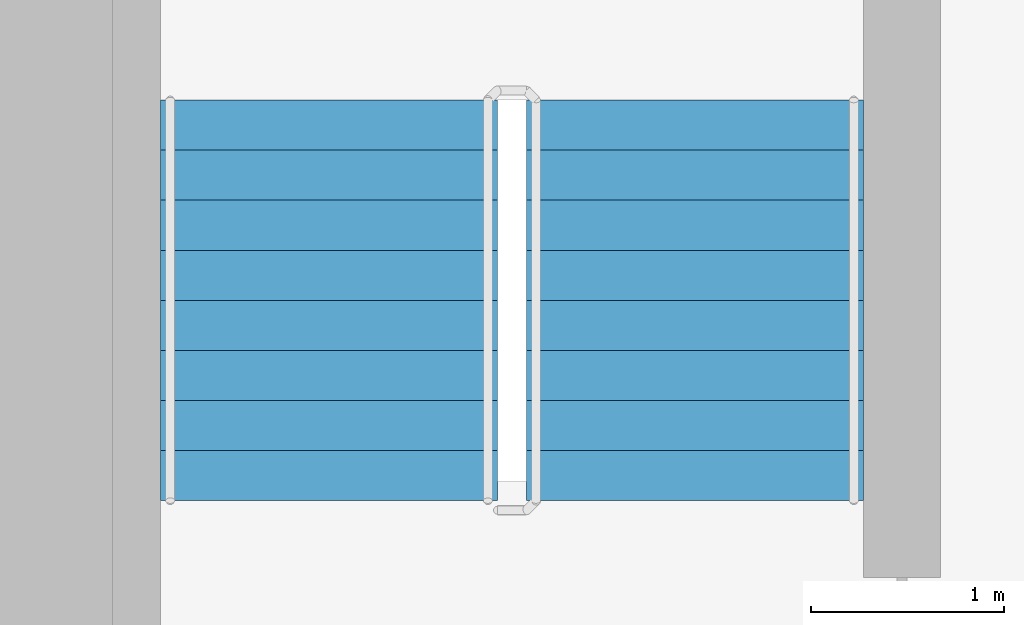
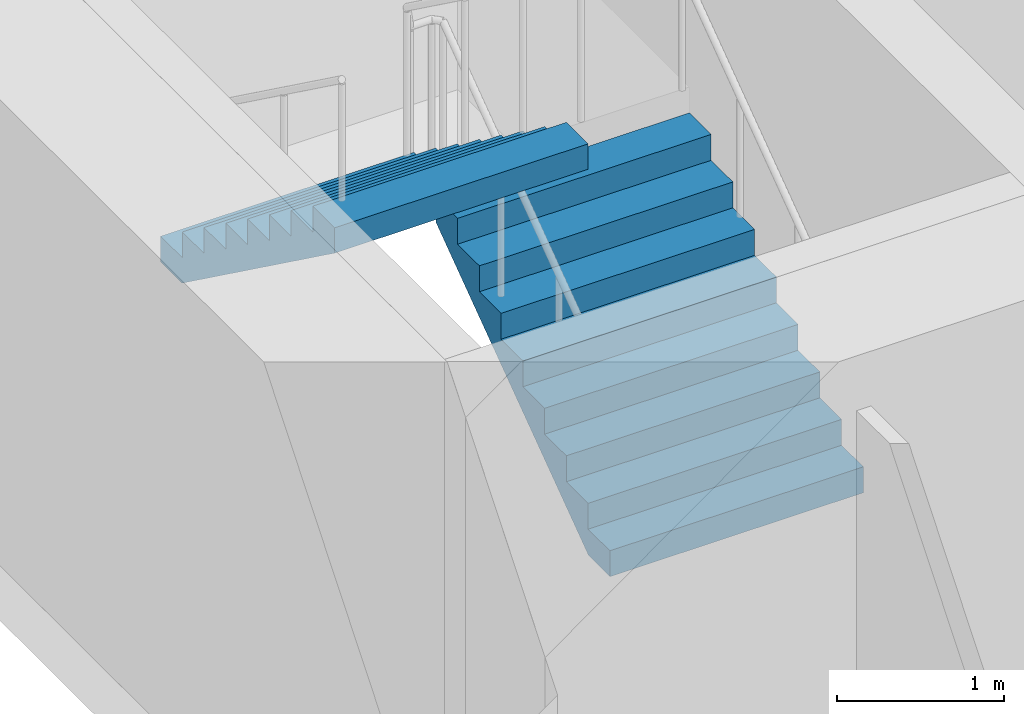
# One storey, part 17 of 21: 2 stair flights, 1 element without a shape of its own.
"""IFC4 building model written with IfcOpenShell, lengths in metres."""

import ifcopenshell
import ifcopenshell.guid

model = None  # the IFC model being written
_history = None  # IfcOwnerHistory: only IFC2X3 demands one
_inside = {}  # id of a spatial element -> (the spatial element, [elements in it])
_under = {}  # id of a project, library or spatial element -> (it, [spatial elements below it])
_declared = {}  # id of a project -> (the project, [libraries it declares])
_typed = {}  # id of a type object -> (the type object, [elements of that type])
_made_of = {}  # id of a material, layer set ... -> (it, [elements and type objects made of it])


def new_model(schema):
    """Start an empty IFC model of exactly this schema.

    Asked for "IFC4X3", IfcOpenShell would pick the latest addendum, in which some entities
    have other attributes; the version numbers below select the first issue.
    IFC2X3 requires an IfcOwnerHistory on every rooted entity: one is made here for all.
    """
    global model, _history
    if schema == "IFC4X3":
        model = ifcopenshell.file(schema_version=(4, 3, 0, 0))
    else:
        model = ifcopenshell.file(schema=schema)
    _inside.clear()
    _under.clear()
    _declared.clear()
    _typed.clear()
    _made_of.clear()
    _history = None
    if model.schema == "IFC2X3":
        org = make("IfcOrganization", Name="unknown")
        user = make(
            "IfcPersonAndOrganization",
            ThePerson=make("IfcPerson", FamilyName="unknown"),
            TheOrganization=org,
        )
        app = make(
            "IfcApplication",
            ApplicationDeveloper=org,
            Version="unknown",
            ApplicationFullName="unknown",
            ApplicationIdentifier="unknown",
        )
        _history = make(
            "IfcOwnerHistory",
            OwningUser=user,
            OwningApplication=app,
            ChangeAction="ADDED",
            CreationDate=0,
        )
    return model


def make(cls, **values):
    """One entity of the class cls with the attributes given. An attribute that is None is left unset."""
    return model.create_entity(
        cls, **{name: value for name, value in values.items() if value is not None}
    )


def rooted(cls, **values):
    """An entity with a GlobalId (a new one), such as an element, a storey or a relation."""
    return make(cls, GlobalId=ifcopenshell.guid.new(), OwnerHistory=_history, **values)


def si_unit(unit_type, name, prefix=None):
    """IfcSIUnit, for example si_unit("LENGTHUNIT", "METRE", prefix="MILLI")."""
    return make("IfcSIUnit", UnitType=unit_type, Prefix=prefix, Name=name)


def assignment(units):
    """IfcUnitAssignment: the units of a project."""
    return None if units is None else make("IfcUnitAssignment", Units=units)


def point(xyz):
    """IfcCartesianPoint."""
    return None if xyz is None else make("IfcCartesianPoint", Coordinates=xyz)


def direction(xyz):
    """IfcDirection."""
    return None if xyz is None else make("IfcDirection", DirectionRatios=xyz)


def frame(location, z_axis=None, x_axis=None):
    """IfcAxis2Placement3D, a coordinate frame: its origin and axes. An axis left out is left unset."""
    return make(
        "IfcAxis2Placement3D",
        Location=point(location),
        Axis=direction(z_axis),
        RefDirection=direction(x_axis),
    )


def origin():
    """The frame at (0, 0, 0) with its axes left unset."""
    return frame((0.0, 0.0, 0.0))


def place(relative_to, where):
    """IfcLocalPlacement: puts the frame where relative to a parent placement (None: the world)."""
    return make(
        "IfcLocalPlacement", PlacementRelTo=relative_to, RelativePlacement=where
    )


def context(
    kind, dimensions, precision=None, world=None, true_north=None, identifier=None
):
    """IfcGeometricRepresentationContext, for example the 3D "Model" context."""
    return make(
        "IfcGeometricRepresentationContext",
        ContextIdentifier=identifier,
        ContextType=kind,
        CoordinateSpaceDimension=dimensions,
        Precision=precision,
        WorldCoordinateSystem=world,
        TrueNorth=true_north,
    )


def subcontext(parent, identifier, kind, view, scale=None):
    """IfcGeometricRepresentationSubContext, for example "Body" below "Model"."""
    return make(
        "IfcGeometricRepresentationSubContext",
        ContextIdentifier=identifier,
        ContextType=kind,
        ParentContext=parent,
        TargetScale=scale,
        TargetView=view,
    )


def project(units=None, contexts=None):
    """IfcProject with its units and contexts."""
    return rooted(
        "IfcProject",
        Name="project",
        RepresentationContexts=contexts,
        UnitsInContext=assignment(units),
    )


def spatial(cls, under=None, at=None, **own):
    """A site, building, storey or space (cls), placed at a placement, below another one or the project."""
    s = rooted(cls, ObjectPlacement=at, **own)
    if under is not None:
        _under.setdefault(under.id(), (under, []))[1].append(s)
    return s


def faces_of(points, faces, orient=None, outer=None):
    """IfcFace entities. A face is a list of loops; a loop is a list of indices into points, from 0.

    orient and outer hold one flag for each loop. By default every Orientation is true, the
    first loop of a face is its IfcFaceOuterBound and the others are IfcFaceBound.
    """
    made = []
    for i, loops in enumerate(faces):
        bounds = []
        for j, loop in enumerate(loops):
            is_outer = j == 0 if outer is None else outer[i][j]
            bounds.append(
                make(
                    "IfcFaceOuterBound" if is_outer else "IfcFaceBound",
                    Bound=make("IfcPolyLoop", Polygon=[points[k] for k in loop]),
                    Orientation=True if orient is None else orient[i][j],
                )
            )
        made.append(make("IfcFace", Bounds=bounds))
    return made


def faceted_brep(points, faces, orient=None, outer=None, voids=None):
    """IfcFacetedBrep: a solid bounded by flat faces; with voids (closed shells), ...WithVoids."""
    shared = [point(p) for p in points]
    hull = make("IfcClosedShell", CfsFaces=faces_of(shared, faces, orient, outer))
    if voids is None:
        return make("IfcFacetedBrep", Outer=hull)
    return make(
        "IfcFacetedBrepWithVoids",
        Outer=hull,
        Voids=[
            make(cls, CfsFaces=faces_of(shared, fs, o, b)) for cls, fs, o, b in voids
        ],
    )


def shape(context_of_items, identifier, shape_type, items):
    """IfcShapeRepresentation: the items that make up one representation, for example the "Body"."""
    return make(
        "IfcShapeRepresentation",
        ContextOfItems=context_of_items,
        RepresentationIdentifier=identifier,
        RepresentationType=shape_type,
        Items=items,
    )


def material(Name=None, Category=None):
    """IfcMaterial."""
    return make("IfcMaterial", Name=Name, Category=Category)


def made_of(thing, what):
    """Note that an element or type object is made of a material, layer set ...; save() writes the relation."""
    if what is not None:
        _made_of.setdefault(what.id(), (what, []))[1].append(thing)
    return thing


def type_object(cls, material=None, **own):
    """A type object (cls), such as IfcWallType, which elements share."""
    return made_of(rooted(cls, **own), material)


def element(
    cls,
    number,
    at=None,
    inside=None,
    cuts=None,
    type_object=None,
    material=None,
    context=None,
    identifier="Body",
    shape_type=None,
    held_by="IfcProductDefinitionShape",
    body=None,
    shapes=None,
    **own,
):
    """One element of the class cls, such as IfcWall. Its Tag is "e" and its number.

    at: its placement. inside: the storey or other place that contains it. cuts: it is an
    opening in that element (IfcRelVoidsElement). A single representation is given by context,
    identifier, shape_type and body (its items); several are given by shapes. held_by: the class
    of the entity that holds the representations. save() writes the other relations.
    """
    e = rooted(cls, Tag="e%d" % number, ObjectPlacement=at, **own)
    if body is not None:
        shapes = [shape(context, identifier, shape_type, body)]
    if shapes is not None:
        e.Representation = make(held_by, Representations=shapes)
    if inside is not None:
        _inside.setdefault(inside.id(), (inside, []))[1].append(e)
    if cuts is not None:
        rooted(
            "IfcRelVoidsElement", RelatingBuildingElement=cuts, RelatedOpeningElement=e
        )
    if type_object is not None:
        _typed.setdefault(type_object.id(), (type_object, []))[1].append(e)
    return made_of(e, material)


def aggregate(whole, parts):
    """IfcRelAggregates: a whole, such as a stair, and the parts it consists of."""
    return rooted("IfcRelAggregates", RelatingObject=whole, RelatedObjects=parts)


def save(model, path):
    """Write the relations noted so far, then the file.

    IfcRelAggregates (storeys below a building ...), IfcRelContainedInSpatialStructure (elements
    in a storey), IfcRelDefinesByType, IfcRelAssociatesMaterial and IfcRelDeclares: one each for
    every whole, place, type object, material and project.
    """
    for whole, parts in _under.values():
        aggregate(whole, parts)
    for where, things in _inside.values():
        rooted(
            "IfcRelContainedInSpatialStructure",
            RelatedElements=things,
            RelatingStructure=where,
        )
    for kind, things in _typed.values():
        rooted("IfcRelDefinesByType", RelatedObjects=things, RelatingType=kind)
    for what, things in _made_of.values():
        rooted("IfcRelAssociatesMaterial", RelatedObjects=things, RelatingMaterial=what)
    for by, libraries in _declared.values():
        rooted("IfcRelDeclares", RelatingContext=by, RelatedDefinitions=libraries)
    model.write(path)


model = new_model("IFC4")

# Units and contexts
model_context = context("Model", 3, precision=1e-05, world=origin(), true_north=direction((0.0, 1.0)))
body_context = subcontext(model_context, "Body", "Model", "MODEL_VIEW")
ifc_project = project(units=[si_unit("LENGTHUNIT", "METRE"), si_unit("AREAUNIT", "SQUARE_METRE"), si_unit("VOLUMEUNIT", "CUBIC_METRE"), si_unit("PLANEANGLEUNIT", "RADIAN"), si_unit("MASSUNIT", "GRAM", prefix="KILO")], contexts=[model_context])

# Site, building, storey
site_placement = place(None, origin())
site = spatial("IfcSite", under=ifc_project, at=site_placement, CompositionType="ELEMENT")
building_placement = place(site_placement, origin())
building = spatial("IfcBuilding", under=site, at=building_placement, Name="Ipe Terrace Towers", CompositionType="ELEMENT")
storey_placement = place(building_placement, frame((0.0, 0.0, 97.0)))
storey = spatial("IfcBuildingStorey", under=building, at=storey_placement, Name="L26", CompositionType="ELEMENT", Elevation=97.0)

# Stair, stair flights
ifc_material_1 = material(Name="Concrete C30/37", Category="concrete")
stair_type = type_object("IfcStairType", Name="Protected exit stair", PredefinedType="HALF_TURN_STAIR", material=ifc_material_1)
stair_placement = place(storey_placement, origin())
stair = element("IfcStair", 1, at=stair_placement, inside=storey, type_object=stair_type, Name="L26 Exit stair T2-C1", PredefinedType="HALF_TURN_STAIR")
ifc_material_2 = material(Name="Concrete C30/37", Category="concrete")
stair_flight_type = type_object("IfcStairFlightType", Name="Exit stair flight 1750", PredefinedType="STRAIGHT", material=ifc_material_2)
stair_flight_1_placement = place(storey_placement, frame((33.22509765625, 9.699951171875, 0.0), z_axis=(0.0, 0.0, 1.0), x_axis=(0.0, 1.0, 0.0)))
stair_flight_1 = element("IfcStairFlight", 2, at=stair_flight_1_placement, type_object=stair_flight_type, Name="T2-ST1 flight 1", NumberOfRisers=9, NumberOfTreads=8, PredefinedType="STRAIGHT", RiserHeight=0.188888889, TreadLength=0.26, context=body_context, shape_type="Brep", body=[
    faceted_brep([(0.255126953125, -0.875, 0.0), (2.080078125, -0.875, 1.325927734375), (2.080078125, -0.875, 1.51123046875), (1.820068359375, -0.875, 1.51123046875), (1.820068359375, -0.875, 1.322265625), (1.56005859375, -0.875, 1.322265625), (1.56005859375, -0.875, 1.13330078125), (1.300048828125, -0.875, 1.13330078125), (1.300048828125, -0.875, 0.9443359375), (1.0400390625, -0.875, 0.9443359375), (1.0400390625, -0.875, 0.755615234375), (0.780029296875, -0.875, 0.755615234375), (0.780029296875, -0.875, 0.566650390625), (0.52001953125, -0.875, 0.566650390625), (0.52001953125, -0.875, 0.377685546875), (0.260009765625, -0.875, 0.377685546875), (0.260009765625, -0.875, 0.18896484375), (0.0, -0.875, 0.18896484375), (0.0, -0.875, 0.0), (0.0, 0.875, 0.0), (0.0, 0.875, 0.18896484375), (0.260009765625, 0.875, 0.18896484375), (0.260009765625, 0.875, 0.377685546875), (0.52001953125, 0.875, 0.377685546875), (0.52001953125, 0.875, 0.566650390625), (0.780029296875, 0.875, 0.566650390625), (0.780029296875, 0.875, 0.755615234375), (1.0400390625, 0.875, 0.755615234375), (1.0400390625, 0.875, 0.9443359375), (1.300048828125, 0.875, 0.9443359375), (1.300048828125, 0.875, 1.13330078125), (1.56005859375, 0.875, 1.13330078125), (1.56005859375, 0.875, 1.322265625), (1.820068359375, 0.875, 1.322265625), (1.820068359375, 0.875, 1.51123046875), (2.080078125, 0.875, 1.51123046875), (2.080078125, 0.875, 1.325927734375), (0.255126953125, 0.875, 0.0), (0.0, -0.300048828125, 0.18896484375), (0.0, -0.1201171875, 0.18896484375), (0.0, -0.06005859375, 0.18896484375), (0.0, -0.030029296875, 0.18896484375), (0.0, -0.010009765625, 0.18896484375), (0.0, 0.0, 0.18896484375), (0.0, 0.010009765625, 0.18896484375), (0.0, 0.030029296875, 0.18896484375), (0.0, 0.06005859375, 0.18896484375), (0.0, 0.1201171875, 0.18896484375), (0.0, 0.300048828125, 0.18896484375), (0.0, 0.300048828125, 0.0), (0.0, 0.1201171875, 0.0), (0.0, 0.06005859375, 0.0), (0.0, 0.030029296875, 0.0), (0.0, 0.010009765625, 0.0), (0.0, 0.0, 0.0), (0.0, -0.010009765625, 0.0), (0.0, -0.030029296875, 0.0), (0.0, -0.06005859375, 0.0), (0.0, -0.1201171875, 0.0), (0.0, -0.300048828125, 0.0), (0.260009765625, -0.300048828125, 0.18896484375), (0.260009765625, -0.1201171875, 0.18896484375), (0.260009765625, -0.06005859375, 0.18896484375), (0.260009765625, -0.030029296875, 0.18896484375), (0.260009765625, -0.010009765625, 0.18896484375), (0.260009765625, 0.0, 0.18896484375), (0.260009765625, 0.010009765625, 0.18896484375), (0.260009765625, 0.030029296875, 0.18896484375), (0.260009765625, 0.06005859375, 0.18896484375), (0.260009765625, 0.1201171875, 0.18896484375), (0.260009765625, 0.300048828125, 0.18896484375), (0.260009765625, -0.300048828125, 0.377685546875), (0.260009765625, -0.1201171875, 0.377685546875), (0.260009765625, -0.06005859375, 0.377685546875), (0.260009765625, -0.030029296875, 0.377685546875), (0.260009765625, -0.010009765625, 0.377685546875), (0.260009765625, 0.0, 0.377685546875), (0.260009765625, 0.010009765625, 0.377685546875), (0.260009765625, 0.030029296875, 0.377685546875), (0.260009765625, 0.06005859375, 0.377685546875), (0.260009765625, 0.1201171875, 0.377685546875), (0.260009765625, 0.300048828125, 0.377685546875), (0.52001953125, -0.300048828125, 0.377685546875), (0.52001953125, -0.1201171875, 0.377685546875), (0.52001953125, -0.06005859375, 0.377685546875), (0.52001953125, -0.030029296875, 0.377685546875), (0.52001953125, -0.010009765625, 0.377685546875), (0.52001953125, 0.0, 0.377685546875), (0.52001953125, 0.010009765625, 0.377685546875), (0.52001953125, 0.030029296875, 0.377685546875), (0.52001953125, 0.06005859375, 0.377685546875), (0.52001953125, 0.1201171875, 0.377685546875), (0.52001953125, 0.300048828125, 0.377685546875), (0.52001953125, -0.300048828125, 0.566650390625), (0.52001953125, -0.1201171875, 0.566650390625), (0.52001953125, -0.06005859375, 0.566650390625), (0.52001953125, -0.030029296875, 0.566650390625), (0.52001953125, -0.010009765625, 0.566650390625), (0.52001953125, 0.0, 0.566650390625), (0.52001953125, 0.010009765625, 0.566650390625), (0.52001953125, 0.030029296875, 0.566650390625), (0.52001953125, 0.06005859375, 0.566650390625), (0.52001953125, 0.1201171875, 0.566650390625), (0.52001953125, 0.300048828125, 0.566650390625), (0.780029296875, -0.300048828125, 0.566650390625), (0.780029296875, -0.1201171875, 0.566650390625), (0.780029296875, -0.06005859375, 0.566650390625), (0.780029296875, -0.030029296875, 0.566650390625), (0.780029296875, -0.010009765625, 0.566650390625), (0.780029296875, 0.0, 0.566650390625), (0.780029296875, 0.010009765625, 0.566650390625), (0.780029296875, 0.030029296875, 0.566650390625), (0.780029296875, 0.06005859375, 0.566650390625), (0.780029296875, 0.1201171875, 0.566650390625), (0.780029296875, 0.300048828125, 0.566650390625), (0.780029296875, -0.300048828125, 0.755615234375), (0.780029296875, -0.1201171875, 0.755615234375), (0.780029296875, -0.06005859375, 0.755615234375), (0.780029296875, -0.030029296875, 0.755615234375), (0.780029296875, -0.010009765625, 0.755615234375), (0.780029296875, 0.0, 0.755615234375), (0.780029296875, 0.010009765625, 0.755615234375), (0.780029296875, 0.030029296875, 0.755615234375), (0.780029296875, 0.06005859375, 0.755615234375), (0.780029296875, 0.1201171875, 0.755615234375), (0.780029296875, 0.300048828125, 0.755615234375), (1.0400390625, -0.300048828125, 0.755615234375), (1.0400390625, -0.1201171875, 0.755615234375), (1.0400390625, -0.06005859375, 0.755615234375), (1.0400390625, -0.030029296875, 0.755615234375), (1.0400390625, -0.010009765625, 0.755615234375), (1.0400390625, 0.0, 0.755615234375), (1.0400390625, 0.010009765625, 0.755615234375), (1.0400390625, 0.030029296875, 0.755615234375), (1.0400390625, 0.06005859375, 0.755615234375), (1.0400390625, 0.1201171875, 0.755615234375), (1.0400390625, 0.300048828125, 0.755615234375), (1.0400390625, -0.300048828125, 0.9443359375), (1.0400390625, -0.1201171875, 0.9443359375), (1.0400390625, -0.06005859375, 0.9443359375), (1.0400390625, -0.030029296875, 0.9443359375), (1.0400390625, -0.010009765625, 0.9443359375), (1.0400390625, 0.0, 0.9443359375), (1.0400390625, 0.010009765625, 0.9443359375), (1.0400390625, 0.030029296875, 0.9443359375), (1.0400390625, 0.06005859375, 0.9443359375), (1.0400390625, 0.1201171875, 0.9443359375), (1.0400390625, 0.300048828125, 0.9443359375), (1.300048828125, -0.300048828125, 0.9443359375), (1.300048828125, -0.1201171875, 0.9443359375), (1.300048828125, -0.06005859375, 0.9443359375), (1.300048828125, -0.030029296875, 0.9443359375), (1.300048828125, -0.010009765625, 0.9443359375), (1.300048828125, 0.0, 0.9443359375), (1.300048828125, 0.010009765625, 0.9443359375), (1.300048828125, 0.030029296875, 0.9443359375), (1.300048828125, 0.06005859375, 0.9443359375), (1.300048828125, 0.1201171875, 0.9443359375), (1.300048828125, 0.300048828125, 0.9443359375), (1.300048828125, -0.300048828125, 1.13330078125), (1.300048828125, -0.1201171875, 1.13330078125), (1.300048828125, -0.06005859375, 1.13330078125), (1.300048828125, -0.030029296875, 1.13330078125), (1.300048828125, -0.010009765625, 1.13330078125), (1.300048828125, 0.0, 1.13330078125), (1.300048828125, 0.010009765625, 1.13330078125), (1.300048828125, 0.030029296875, 1.13330078125), (1.300048828125, 0.06005859375, 1.13330078125), (1.300048828125, 0.1201171875, 1.13330078125), (1.300048828125, 0.300048828125, 1.13330078125), (1.56005859375, -0.300048828125, 1.13330078125), (1.56005859375, -0.1201171875, 1.13330078125), (1.56005859375, -0.06005859375, 1.13330078125), (1.56005859375, -0.030029296875, 1.13330078125), (1.56005859375, -0.010009765625, 1.13330078125), (1.56005859375, 0.0, 1.13330078125), (1.56005859375, 0.010009765625, 1.13330078125), (1.56005859375, 0.030029296875, 1.13330078125), (1.56005859375, 0.06005859375, 1.13330078125), (1.56005859375, 0.1201171875, 1.13330078125), (1.56005859375, 0.300048828125, 1.13330078125), (1.56005859375, -0.300048828125, 1.322265625), (1.56005859375, -0.1201171875, 1.322265625), (1.56005859375, -0.06005859375, 1.322265625), (1.56005859375, -0.030029296875, 1.322265625), (1.56005859375, -0.010009765625, 1.322265625), (1.56005859375, 0.0, 1.322265625), (1.56005859375, 0.010009765625, 1.322265625), (1.56005859375, 0.030029296875, 1.322265625), (1.56005859375, 0.06005859375, 1.322265625), (1.56005859375, 0.1201171875, 1.322265625), (1.56005859375, 0.300048828125, 1.322265625), (1.820068359375, -0.300048828125, 1.322265625), (1.820068359375, -0.1201171875, 1.322265625), (1.820068359375, -0.06005859375, 1.322265625), (1.820068359375, -0.030029296875, 1.322265625), (1.820068359375, -0.010009765625, 1.322265625), (1.820068359375, 0.0, 1.322265625), (1.820068359375, 0.010009765625, 1.322265625), (1.820068359375, 0.030029296875, 1.322265625), (1.820068359375, 0.06005859375, 1.322265625), (1.820068359375, 0.1201171875, 1.322265625), (1.820068359375, 0.300048828125, 1.322265625), (1.820068359375, -0.300048828125, 1.51123046875), (1.820068359375, -0.1201171875, 1.51123046875), (1.820068359375, -0.06005859375, 1.51123046875), (1.820068359375, -0.030029296875, 1.51123046875), (1.820068359375, -0.010009765625, 1.51123046875), (1.820068359375, 0.0, 1.51123046875), (1.820068359375, 0.010009765625, 1.51123046875), (1.820068359375, 0.030029296875, 1.51123046875), (1.820068359375, 0.06005859375, 1.51123046875), (1.820068359375, 0.1201171875, 1.51123046875), (1.820068359375, 0.300048828125, 1.51123046875), (2.080078125, -0.300048828125, 1.51123046875), (2.080078125, -0.1201171875, 1.51123046875), (2.080078125, -0.06005859375, 1.51123046875), (2.080078125, -0.030029296875, 1.51123046875), (2.080078125, -0.010009765625, 1.51123046875), (2.080078125, 0.0, 1.51123046875), (2.080078125, 0.010009765625, 1.51123046875), (2.080078125, 0.030029296875, 1.51123046875), (2.080078125, 0.06005859375, 1.51123046875), (2.080078125, 0.1201171875, 1.51123046875), (2.080078125, 0.300048828125, 1.51123046875), (2.080078125, -0.300048828125, 1.325927734375), (2.080078125, -0.1201171875, 1.325927734375), (2.080078125, -0.06005859375, 1.325927734375), (2.080078125, -0.030029296875, 1.325927734375), (2.080078125, -0.010009765625, 1.325927734375), (2.080078125, 0.0, 1.325927734375), (2.080078125, 0.010009765625, 1.325927734375), (2.080078125, 0.030029296875, 1.325927734375), (2.080078125, 0.06005859375, 1.325927734375), (2.080078125, 0.1201171875, 1.325927734375), (2.080078125, 0.300048828125, 1.325927734375), (0.255126953125, -0.300048828125, 0.0), (0.255126953125, -0.1201171875, 0.0), (0.255126953125, -0.06005859375, 0.0), (0.255126953125, -0.030029296875, 0.0), (0.255126953125, -0.010009765625, 0.0), (0.255126953125, 0.0, 0.0), (0.255126953125, 0.010009765625, 0.0), (0.255126953125, 0.030029296875, 0.0), (0.255126953125, 0.06005859375, 0.0), (0.255126953125, 0.1201171875, 0.0), (0.255126953125, 0.300048828125, 0.0)], [[[0, 1, 2, 3, 4, 5, 6, 7, 8, 9, 10, 11, 12, 13, 14, 15, 16, 17, 18]], [[19, 20, 21, 22, 23, 24, 25, 26, 27, 28, 29, 30, 31, 32, 33, 34, 35, 36, 37]], [[17, 38, 39, 40, 41, 42, 43, 44, 45, 46, 47, 48, 20, 19, 49, 50, 51, 52, 53, 54, 55, 56, 57, 58, 59, 18]], [[16, 60, 61, 62, 63, 64, 65, 66, 67, 68, 69, 70, 21, 20, 48, 47, 46, 45, 44, 43, 42, 41, 40, 39, 38, 17]], [[15, 71, 72, 73, 74, 75, 76, 77, 78, 79, 80, 81, 22, 21, 70, 69, 68, 67, 66, 65, 64, 63, 62, 61, 60, 16]], [[14, 82, 83, 84, 85, 86, 87, 88, 89, 90, 91, 92, 23, 22, 81, 80, 79, 78, 77, 76, 75, 74, 73, 72, 71, 15]], [[13, 93, 94, 95, 96, 97, 98, 99, 100, 101, 102, 103, 24, 23, 92, 91, 90, 89, 88, 87, 86, 85, 84, 83, 82, 14]], [[12, 104, 105, 106, 107, 108, 109, 110, 111, 112, 113, 114, 25, 24, 103, 102, 101, 100, 99, 98, 97, 96, 95, 94, 93, 13]], [[11, 115, 116, 117, 118, 119, 120, 121, 122, 123, 124, 125, 26, 25, 114, 113, 112, 111, 110, 109, 108, 107, 106, 105, 104, 12]], [[10, 126, 127, 128, 129, 130, 131, 132, 133, 134, 135, 136, 27, 26, 125, 124, 123, 122, 121, 120, 119, 118, 117, 116, 115, 11]], [[9, 137, 138, 139, 140, 141, 142, 143, 144, 145, 146, 147, 28, 27, 136, 135, 134, 133, 132, 131, 130, 129, 128, 127, 126, 10]], [[8, 148, 149, 150, 151, 152, 153, 154, 155, 156, 157, 158, 29, 28, 147, 146, 145, 144, 143, 142, 141, 140, 139, 138, 137, 9]], [[7, 159, 160, 161, 162, 163, 164, 165, 166, 167, 168, 169, 30, 29, 158, 157, 156, 155, 154, 153, 152, 151, 150, 149, 148, 8]], [[6, 170, 171, 172, 173, 174, 175, 176, 177, 178, 179, 180, 31, 30, 169, 168, 167, 166, 165, 164, 163, 162, 161, 160, 159, 7]], [[5, 181, 182, 183, 184, 185, 186, 187, 188, 189, 190, 191, 32, 31, 180, 179, 178, 177, 176, 175, 174, 173, 172, 171, 170, 6]], [[4, 192, 193, 194, 195, 196, 197, 198, 199, 200, 201, 202, 33, 32, 191, 190, 189, 188, 187, 186, 185, 184, 183, 182, 181, 5]], [[3, 203, 204, 205, 206, 207, 208, 209, 210, 211, 212, 213, 34, 33, 202, 201, 200, 199, 198, 197, 196, 195, 194, 193, 192, 4]], [[2, 214, 215, 216, 217, 218, 219, 220, 221, 222, 223, 224, 35, 34, 213, 212, 211, 210, 209, 208, 207, 206, 205, 204, 203, 3]], [[1, 225, 226, 227, 228, 229, 230, 231, 232, 233, 234, 235, 36, 35, 224, 223, 222, 221, 220, 219, 218, 217, 216, 215, 214, 2]], [[0, 236, 237, 238, 239, 240, 241, 242, 243, 244, 245, 246, 37, 36, 235, 234, 233, 232, 231, 230, 229, 228, 227, 226, 225, 1]], [[18, 59, 58, 57, 56, 55, 54, 53, 52, 51, 50, 49, 19, 37, 246, 245, 244, 243, 242, 241, 240, 239, 238, 237, 236, 0]]]),
])
stair_flight_2_placement = place(storey_placement, frame((31.324951171875, 11.780029296875, 1.699951171875), z_axis=(0.0, 0.0, 1.0), x_axis=(0.0, -1.0, 0.0)))
stair_flight_2 = element("IfcStairFlight", 3, at=stair_flight_2_placement, type_object=stair_flight_type, Name="T2-ST1 flight 2", NumberOfRisers=9, NumberOfTreads=8, PredefinedType="STRAIGHT", RiserHeight=0.188888889, TreadLength=0.26, context=body_context, shape_type="Brep", body=[
    faceted_brep([(0.255126953125, -0.875, 0.0), (2.080078125, -0.875, 1.325927734375), (2.080078125, -0.875, 1.51123046875), (1.820068359375, -0.875, 1.51123046875), (1.820068359375, -0.875, 1.322265625), (1.56005859375, -0.875, 1.322265625), (1.56005859375, -0.875, 1.13330078125), (1.300048828125, -0.875, 1.13330078125), (1.300048828125, -0.875, 0.9443359375), (1.0400390625, -0.875, 0.9443359375), (1.0400390625, -0.875, 0.755615234375), (0.780029296875, -0.875, 0.755615234375), (0.780029296875, -0.875, 0.566650390625), (0.52001953125, -0.875, 0.566650390625), (0.52001953125, -0.875, 0.377685546875), (0.260009765625, -0.875, 0.377685546875), (0.260009765625, -0.875, 0.18896484375), (0.0, -0.875, 0.18896484375), (0.0, -0.875, 0.0), (0.0, 0.875, 0.0), (0.0, 0.875, 0.18896484375), (0.260009765625, 0.875, 0.18896484375), (0.260009765625, 0.875, 0.377685546875), (0.52001953125, 0.875, 0.377685546875), (0.52001953125, 0.875, 0.566650390625), (0.780029296875, 0.875, 0.566650390625), (0.780029296875, 0.875, 0.755615234375), (1.0400390625, 0.875, 0.755615234375), (1.0400390625, 0.875, 0.9443359375), (1.300048828125, 0.875, 0.9443359375), (1.300048828125, 0.875, 1.13330078125), (1.56005859375, 0.875, 1.13330078125), (1.56005859375, 0.875, 1.322265625), (1.820068359375, 0.875, 1.322265625), (1.820068359375, 0.875, 1.51123046875), (2.080078125, 0.875, 1.51123046875), (2.080078125, 0.875, 1.325927734375), (0.255126953125, 0.875, 0.0), (0.0, -0.300048828125, 0.18896484375), (0.0, -0.1201171875, 0.18896484375), (0.0, -0.06005859375, 0.18896484375), (0.0, -0.030029296875, 0.18896484375), (0.0, -0.010009765625, 0.18896484375), (0.0, 0.0, 0.18896484375), (0.0, 0.010009765625, 0.18896484375), (0.0, 0.030029296875, 0.18896484375), (0.0, 0.06005859375, 0.18896484375), (0.0, 0.1201171875, 0.18896484375), (0.0, 0.300048828125, 0.18896484375), (0.0, 0.300048828125, 0.0), (0.0, 0.1201171875, 0.0), (0.0, 0.06005859375, 0.0), (0.0, 0.030029296875, 0.0), (0.0, 0.010009765625, 0.0), (0.0, 0.0, 0.0), (0.0, -0.010009765625, 0.0), (0.0, -0.030029296875, 0.0), (0.0, -0.06005859375, 0.0), (0.0, -0.1201171875, 0.0), (0.0, -0.300048828125, 0.0), (0.260009765625, -0.300048828125, 0.18896484375), (0.260009765625, -0.1201171875, 0.18896484375), (0.260009765625, -0.06005859375, 0.18896484375), (0.260009765625, -0.030029296875, 0.18896484375), (0.260009765625, -0.010009765625, 0.18896484375), (0.260009765625, 0.0, 0.18896484375), (0.260009765625, 0.010009765625, 0.18896484375), (0.260009765625, 0.030029296875, 0.18896484375), (0.260009765625, 0.06005859375, 0.18896484375), (0.260009765625, 0.1201171875, 0.18896484375), (0.260009765625, 0.300048828125, 0.18896484375), (0.260009765625, -0.300048828125, 0.377685546875), (0.260009765625, -0.1201171875, 0.377685546875), (0.260009765625, -0.06005859375, 0.377685546875), (0.260009765625, -0.030029296875, 0.377685546875), (0.260009765625, -0.010009765625, 0.377685546875), (0.260009765625, 0.0, 0.377685546875), (0.260009765625, 0.010009765625, 0.377685546875), (0.260009765625, 0.030029296875, 0.377685546875), (0.260009765625, 0.06005859375, 0.377685546875), (0.260009765625, 0.1201171875, 0.377685546875), (0.260009765625, 0.300048828125, 0.377685546875), (0.52001953125, -0.300048828125, 0.377685546875), (0.52001953125, -0.1201171875, 0.377685546875), (0.52001953125, -0.06005859375, 0.377685546875), (0.52001953125, -0.030029296875, 0.377685546875), (0.52001953125, -0.010009765625, 0.377685546875), (0.52001953125, 0.0, 0.377685546875), (0.52001953125, 0.010009765625, 0.377685546875), (0.52001953125, 0.030029296875, 0.377685546875), (0.52001953125, 0.06005859375, 0.377685546875), (0.52001953125, 0.1201171875, 0.377685546875), (0.52001953125, 0.300048828125, 0.377685546875), (0.52001953125, -0.300048828125, 0.566650390625), (0.52001953125, -0.1201171875, 0.566650390625), (0.52001953125, -0.06005859375, 0.566650390625), (0.52001953125, -0.030029296875, 0.566650390625), (0.52001953125, -0.010009765625, 0.566650390625), (0.52001953125, 0.0, 0.566650390625), (0.52001953125, 0.010009765625, 0.566650390625), (0.52001953125, 0.030029296875, 0.566650390625), (0.52001953125, 0.06005859375, 0.566650390625), (0.52001953125, 0.1201171875, 0.566650390625), (0.52001953125, 0.300048828125, 0.566650390625), (0.780029296875, -0.300048828125, 0.566650390625), (0.780029296875, -0.1201171875, 0.566650390625), (0.780029296875, -0.06005859375, 0.566650390625), (0.780029296875, -0.030029296875, 0.566650390625), (0.780029296875, -0.010009765625, 0.566650390625), (0.780029296875, 0.0, 0.566650390625), (0.780029296875, 0.010009765625, 0.566650390625), (0.780029296875, 0.030029296875, 0.566650390625), (0.780029296875, 0.06005859375, 0.566650390625), (0.780029296875, 0.1201171875, 0.566650390625), (0.780029296875, 0.300048828125, 0.566650390625), (0.780029296875, -0.300048828125, 0.755615234375), (0.780029296875, -0.1201171875, 0.755615234375), (0.780029296875, -0.06005859375, 0.755615234375), (0.780029296875, -0.030029296875, 0.755615234375), (0.780029296875, -0.010009765625, 0.755615234375), (0.780029296875, 0.0, 0.755615234375), (0.780029296875, 0.010009765625, 0.755615234375), (0.780029296875, 0.030029296875, 0.755615234375), (0.780029296875, 0.06005859375, 0.755615234375), (0.780029296875, 0.1201171875, 0.755615234375), (0.780029296875, 0.300048828125, 0.755615234375), (1.0400390625, -0.300048828125, 0.755615234375), (1.0400390625, -0.1201171875, 0.755615234375), (1.0400390625, -0.06005859375, 0.755615234375), (1.0400390625, -0.030029296875, 0.755615234375), (1.0400390625, -0.010009765625, 0.755615234375), (1.0400390625, 0.0, 0.755615234375), (1.0400390625, 0.010009765625, 0.755615234375), (1.0400390625, 0.030029296875, 0.755615234375), (1.0400390625, 0.06005859375, 0.755615234375), (1.0400390625, 0.1201171875, 0.755615234375), (1.0400390625, 0.300048828125, 0.755615234375), (1.0400390625, -0.300048828125, 0.9443359375), (1.0400390625, -0.1201171875, 0.9443359375), (1.0400390625, -0.06005859375, 0.9443359375), (1.0400390625, -0.030029296875, 0.9443359375), (1.0400390625, -0.010009765625, 0.9443359375), (1.0400390625, 0.0, 0.9443359375), (1.0400390625, 0.010009765625, 0.9443359375), (1.0400390625, 0.030029296875, 0.9443359375), (1.0400390625, 0.06005859375, 0.9443359375), (1.0400390625, 0.1201171875, 0.9443359375), (1.0400390625, 0.300048828125, 0.9443359375), (1.300048828125, -0.300048828125, 0.9443359375), (1.300048828125, -0.1201171875, 0.9443359375), (1.300048828125, -0.06005859375, 0.9443359375), (1.300048828125, -0.030029296875, 0.9443359375), (1.300048828125, -0.010009765625, 0.9443359375), (1.300048828125, 0.0, 0.9443359375), (1.300048828125, 0.010009765625, 0.9443359375), (1.300048828125, 0.030029296875, 0.9443359375), (1.300048828125, 0.06005859375, 0.9443359375), (1.300048828125, 0.1201171875, 0.9443359375), (1.300048828125, 0.300048828125, 0.9443359375), (1.300048828125, -0.300048828125, 1.13330078125), (1.300048828125, -0.1201171875, 1.13330078125), (1.300048828125, -0.06005859375, 1.13330078125), (1.300048828125, -0.030029296875, 1.13330078125), (1.300048828125, -0.010009765625, 1.13330078125), (1.300048828125, 0.0, 1.13330078125), (1.300048828125, 0.010009765625, 1.13330078125), (1.300048828125, 0.030029296875, 1.13330078125), (1.300048828125, 0.06005859375, 1.13330078125), (1.300048828125, 0.1201171875, 1.13330078125), (1.300048828125, 0.300048828125, 1.13330078125), (1.56005859375, -0.300048828125, 1.13330078125), (1.56005859375, -0.1201171875, 1.13330078125), (1.56005859375, -0.06005859375, 1.13330078125), (1.56005859375, -0.030029296875, 1.13330078125), (1.56005859375, -0.010009765625, 1.13330078125), (1.56005859375, 0.0, 1.13330078125), (1.56005859375, 0.010009765625, 1.13330078125), (1.56005859375, 0.030029296875, 1.13330078125), (1.56005859375, 0.06005859375, 1.13330078125), (1.56005859375, 0.1201171875, 1.13330078125), (1.56005859375, 0.300048828125, 1.13330078125), (1.56005859375, -0.300048828125, 1.322265625), (1.56005859375, -0.1201171875, 1.322265625), (1.56005859375, -0.06005859375, 1.322265625), (1.56005859375, -0.030029296875, 1.322265625), (1.56005859375, -0.010009765625, 1.322265625), (1.56005859375, 0.0, 1.322265625), (1.56005859375, 0.010009765625, 1.322265625), (1.56005859375, 0.030029296875, 1.322265625), (1.56005859375, 0.06005859375, 1.322265625), (1.56005859375, 0.1201171875, 1.322265625), (1.56005859375, 0.300048828125, 1.322265625), (1.820068359375, -0.300048828125, 1.322265625), (1.820068359375, -0.1201171875, 1.322265625), (1.820068359375, -0.06005859375, 1.322265625), (1.820068359375, -0.030029296875, 1.322265625), (1.820068359375, -0.010009765625, 1.322265625), (1.820068359375, 0.0, 1.322265625), (1.820068359375, 0.010009765625, 1.322265625), (1.820068359375, 0.030029296875, 1.322265625), (1.820068359375, 0.06005859375, 1.322265625), (1.820068359375, 0.1201171875, 1.322265625), (1.820068359375, 0.300048828125, 1.322265625), (1.820068359375, -0.300048828125, 1.51123046875), (1.820068359375, -0.1201171875, 1.51123046875), (1.820068359375, -0.06005859375, 1.51123046875), (1.820068359375, -0.030029296875, 1.51123046875), (1.820068359375, -0.010009765625, 1.51123046875), (1.820068359375, 0.0, 1.51123046875), (1.820068359375, 0.010009765625, 1.51123046875), (1.820068359375, 0.030029296875, 1.51123046875), (1.820068359375, 0.06005859375, 1.51123046875), (1.820068359375, 0.1201171875, 1.51123046875), (1.820068359375, 0.300048828125, 1.51123046875), (2.080078125, -0.300048828125, 1.51123046875), (2.080078125, -0.1201171875, 1.51123046875), (2.080078125, -0.06005859375, 1.51123046875), (2.080078125, -0.030029296875, 1.51123046875), (2.080078125, -0.010009765625, 1.51123046875), (2.080078125, 0.0, 1.51123046875), (2.080078125, 0.010009765625, 1.51123046875), (2.080078125, 0.030029296875, 1.51123046875), (2.080078125, 0.06005859375, 1.51123046875), (2.080078125, 0.1201171875, 1.51123046875), (2.080078125, 0.300048828125, 1.51123046875), (2.080078125, -0.300048828125, 1.325927734375), (2.080078125, -0.1201171875, 1.325927734375), (2.080078125, -0.06005859375, 1.325927734375), (2.080078125, -0.030029296875, 1.325927734375), (2.080078125, -0.010009765625, 1.325927734375), (2.080078125, 0.0, 1.325927734375), (2.080078125, 0.010009765625, 1.325927734375), (2.080078125, 0.030029296875, 1.325927734375), (2.080078125, 0.06005859375, 1.325927734375), (2.080078125, 0.1201171875, 1.325927734375), (2.080078125, 0.300048828125, 1.325927734375), (0.255126953125, -0.300048828125, 0.0), (0.255126953125, -0.1201171875, 0.0), (0.255126953125, -0.06005859375, 0.0), (0.255126953125, -0.030029296875, 0.0), (0.255126953125, -0.010009765625, 0.0), (0.255126953125, 0.0, 0.0), (0.255126953125, 0.010009765625, 0.0), (0.255126953125, 0.030029296875, 0.0), (0.255126953125, 0.06005859375, 0.0), (0.255126953125, 0.1201171875, 0.0), (0.255126953125, 0.300048828125, 0.0)], [[[0, 1, 2, 3, 4, 5, 6, 7, 8, 9, 10, 11, 12, 13, 14, 15, 16, 17, 18]], [[19, 20, 21, 22, 23, 24, 25, 26, 27, 28, 29, 30, 31, 32, 33, 34, 35, 36, 37]], [[17, 38, 39, 40, 41, 42, 43, 44, 45, 46, 47, 48, 20, 19, 49, 50, 51, 52, 53, 54, 55, 56, 57, 58, 59, 18]], [[16, 60, 61, 62, 63, 64, 65, 66, 67, 68, 69, 70, 21, 20, 48, 47, 46, 45, 44, 43, 42, 41, 40, 39, 38, 17]], [[15, 71, 72, 73, 74, 75, 76, 77, 78, 79, 80, 81, 22, 21, 70, 69, 68, 67, 66, 65, 64, 63, 62, 61, 60, 16]], [[14, 82, 83, 84, 85, 86, 87, 88, 89, 90, 91, 92, 23, 22, 81, 80, 79, 78, 77, 76, 75, 74, 73, 72, 71, 15]], [[13, 93, 94, 95, 96, 97, 98, 99, 100, 101, 102, 103, 24, 23, 92, 91, 90, 89, 88, 87, 86, 85, 84, 83, 82, 14]], [[12, 104, 105, 106, 107, 108, 109, 110, 111, 112, 113, 114, 25, 24, 103, 102, 101, 100, 99, 98, 97, 96, 95, 94, 93, 13]], [[11, 115, 116, 117, 118, 119, 120, 121, 122, 123, 124, 125, 26, 25, 114, 113, 112, 111, 110, 109, 108, 107, 106, 105, 104, 12]], [[10, 126, 127, 128, 129, 130, 131, 132, 133, 134, 135, 136, 27, 26, 125, 124, 123, 122, 121, 120, 119, 118, 117, 116, 115, 11]], [[9, 137, 138, 139, 140, 141, 142, 143, 144, 145, 146, 147, 28, 27, 136, 135, 134, 133, 132, 131, 130, 129, 128, 127, 126, 10]], [[8, 148, 149, 150, 151, 152, 153, 154, 155, 156, 157, 158, 29, 28, 147, 146, 145, 144, 143, 142, 141, 140, 139, 138, 137, 9]], [[7, 159, 160, 161, 162, 163, 164, 165, 166, 167, 168, 169, 30, 29, 158, 157, 156, 155, 154, 153, 152, 151, 150, 149, 148, 8]], [[6, 170, 171, 172, 173, 174, 175, 176, 177, 178, 179, 180, 31, 30, 169, 168, 167, 166, 165, 164, 163, 162, 161, 160, 159, 7]], [[5, 181, 182, 183, 184, 185, 186, 187, 188, 189, 190, 191, 32, 31, 180, 179, 178, 177, 176, 175, 174, 173, 172, 171, 170, 6]], [[4, 192, 193, 194, 195, 196, 197, 198, 199, 200, 201, 202, 33, 32, 191, 190, 189, 188, 187, 186, 185, 184, 183, 182, 181, 5]], [[3, 203, 204, 205, 206, 207, 208, 209, 210, 211, 212, 213, 34, 33, 202, 201, 200, 199, 198, 197, 196, 195, 194, 193, 192, 4]], [[2, 214, 215, 216, 217, 218, 219, 220, 221, 222, 223, 224, 35, 34, 213, 212, 211, 210, 209, 208, 207, 206, 205, 204, 203, 3]], [[1, 225, 226, 227, 228, 229, 230, 231, 232, 233, 234, 235, 36, 35, 224, 223, 222, 221, 220, 219, 218, 217, 216, 215, 214, 2]], [[0, 236, 237, 238, 239, 240, 241, 242, 243, 244, 245, 246, 37, 36, 235, 234, 233, 232, 231, 230, 229, 228, 227, 226, 225, 1]], [[18, 59, 58, 57, 56, 55, 54, 53, 52, 51, 50, 49, 19, 37, 246, 245, 244, 243, 242, 241, 240, 239, 238, 237, 236, 0]]]),
])
aggregate(stair, [stair_flight_1, stair_flight_2])

save(model, "model.ifc")
